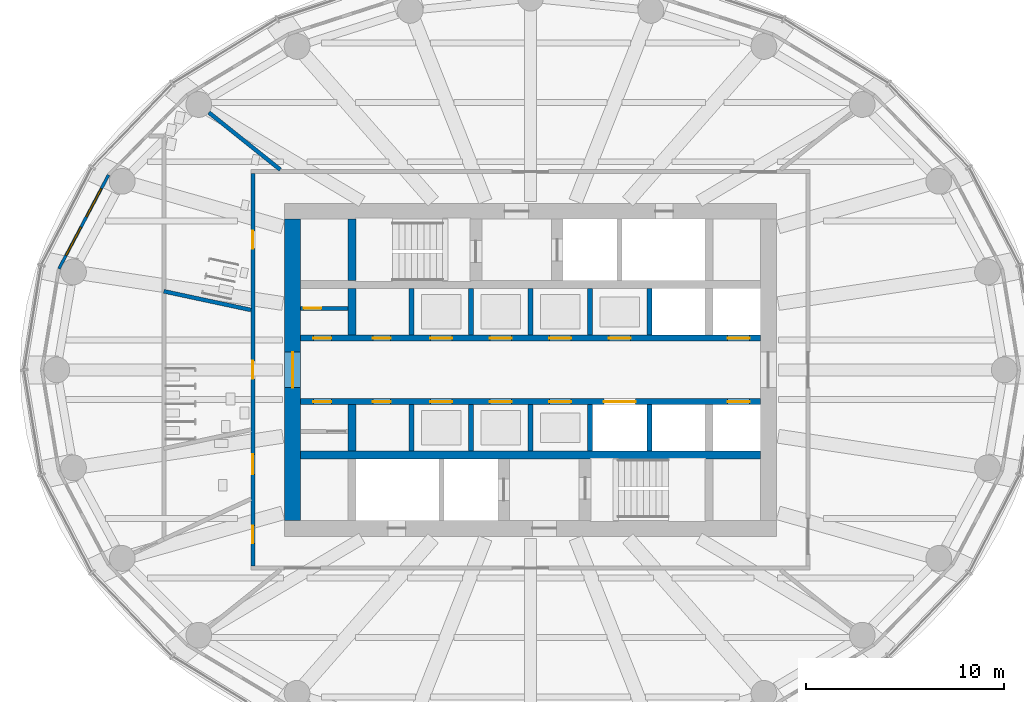
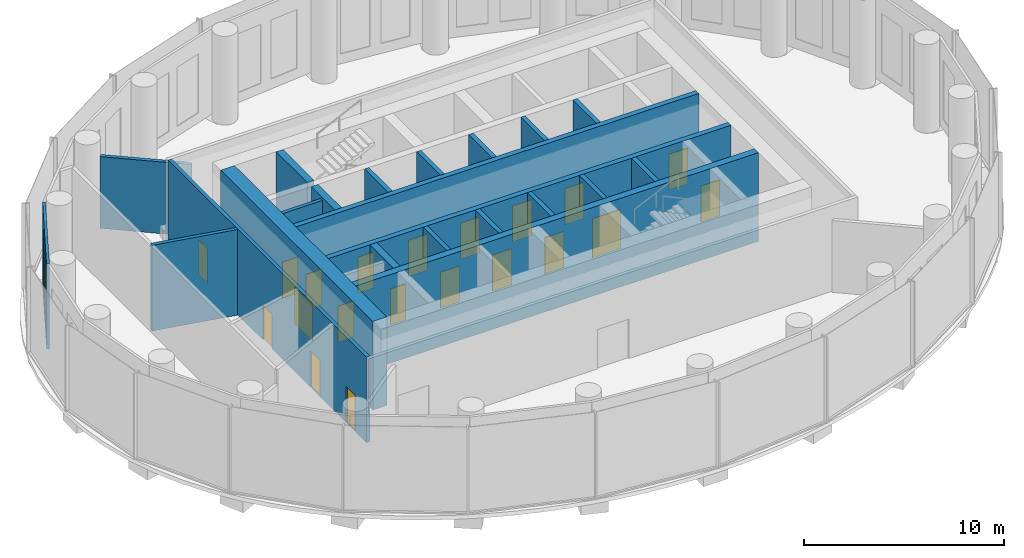
# One storey, part 6 of 13: 22 walls, 20 doors, 2 windows, 22 openings.
"""IFC4 building model written with IfcOpenShell, lengths in metres."""

from ifc_helpers import new_model, si_unit, direction, frame, frame_2d, origin, place, context, subcontext, project, spatial, rectangle, extrude, material, layer, layer_set, type_object, element, fill, save


model = new_model("IFC4")

# Units and contexts
model_context = context("Model", 3, precision=1e-05, world=origin(), true_north=direction((0.0, 1.0)))
body_context = subcontext(model_context, "Body", "Model", "MODEL_VIEW")
ifc_project = project(units=[si_unit("LENGTHUNIT", "METRE"), si_unit("AREAUNIT", "SQUARE_METRE"), si_unit("VOLUMEUNIT", "CUBIC_METRE"), si_unit("PLANEANGLEUNIT", "RADIAN"), si_unit("MASSUNIT", "GRAM", prefix="KILO")], contexts=[model_context])

# Site, building, storey
site_placement = place(None, origin())
site = spatial("IfcSite", under=ifc_project, at=site_placement, CompositionType="ELEMENT")
building_placement = place(site_placement, origin())
building = spatial("IfcBuilding", under=site, at=building_placement, Name="Hankou Lantern Tower", CompositionType="ELEMENT")
storey_placement = place(building_placement, frame((0.0, 0.0, 100.199951171875)))
storey = spatial("IfcBuildingStorey", under=building, at=storey_placement, Name="L25", CompositionType="ELEMENT", Elevation=100.199951171875)

# Wall, opening, door
ifc_material_1 = material(Name="Concrete C60", Category="concrete")
ifc_layer_1 = layer(ifc_material_1, 0.800048828125)
ifc_layer_set_1 = layer_set([ifc_layer_1], Name="Concrete C60")
wall_type_1 = type_object("IfcWallType", Name="CW2 CORE WALL 800", PredefinedType="SHEAR", material=ifc_layer_set_1)
wall_1_placement = place(storey_placement, frame((-12.0, 7.60009765625, 0.0), z_axis=(0.0, 0.0, 1.0), x_axis=(0.0, -1.0, 0.0)))
wall_1 = element("IfcWall", 1, at=wall_1_placement, inside=storey, type_object=wall_type_1, Name="Core wall west L25", PredefinedType="SHEAR", context=body_context, shape_type="SweptSolid", body=[
    extrude(rectangle(XDim=15.2001953125, YDim=0.800048828125, at=frame_2d((7.60009765625, 0.0))), origin(), (0.0, 0.0, 1.0), 5.400146484375),
])
opening_1_placement = place(wall_1_placement, frame((6.699951171875, 0.0, 0.0)))
opening_1 = element("IfcOpeningElement", 2, at=opening_1_placement, cuts=wall_1, Name="Opening D6", PredefinedType="OPENING", context=body_context, shape_type="SweptSolid", body=[
    extrude(rectangle(XDim=1.800048828125, YDim=2.199951171875, at=frame_2d((0.89990234375, 1.10009765625))), frame((0.0, 0.409912109375, 0.0), z_axis=(0.0, -1.0, 0.0), x_axis=(1.0, 0.0, 0.0)), (0.0, 0.0, 1.0), 0.820068359375),
])
ifc_material_2 = material(Name="Steel door leaf", Category="steel")
door_type_1 = type_object("IfcDoorType", Name="D6 LIFT LOBBY DOOR 1800X2200", OperationType="DOUBLE_DOOR_DOUBLE_SWING", PredefinedType="DOOR", material=ifc_material_2)
door_1_placement = place(opening_1_placement, origin())
door_1 = element("IfcDoor", 3, at=door_1_placement, inside=storey, type_object=door_type_1, Name="Lift lobby west door", OperationType="DOUBLE_DOOR_DOUBLE_SWING", OverallHeight=2.199951171875, OverallWidth=1.800048828125, PredefinedType="DOOR", context=body_context, shape_type="SweptSolid", body=[
    extrude(rectangle(XDim=1.800048828125, YDim=2.199951171875, at=frame_2d((0.89990234375, 1.10009765625))), frame((0.0, 0.02490234375, 0.0), z_axis=(0.0, -1.0, 0.0), x_axis=(1.0, 0.0, 0.0)), (0.0, 0.0, 1.0), 0.050048828125),
])
fill(opening_1, door_1)

# Walls
ifc_material_3 = material(Name="Concrete C60", Category="concrete")
ifc_layer_2 = layer(ifc_material_3, 0.39990234375)
ifc_layer_set_2 = layer_set([ifc_layer_2], Name="Concrete C60")
wall_type_2 = type_object("IfcWallType", Name="CW4 CORE CROSS WALL 400", PredefinedType="SHEAR", material=ifc_layer_set_2)
wall_2_placement = place(storey_placement, frame((-11.60009765625, -4.300048828125, 0.0), z_axis=(0.0, 0.0, 1.0), x_axis=(1.0, 0.0, 0.0)))
element("IfcWall", 4, at=wall_2_placement, inside=storey, type_object=wall_type_2, Name="Core band wall south L25", PredefinedType="SHEAR", context=body_context, shape_type="SweptSolid", body=[
    extrude(rectangle(XDim=23.2001953125, YDim=0.39990234375, at=frame_2d((11.60009765625, 0.0))), origin(), (0.0, 0.0, 1.0), 5.400146484375),
])
wall_3_placement = place(storey_placement, frame((-9.0, 4.5, 0.0), z_axis=(0.0, 0.0, 1.0), x_axis=(0.0, 1.0, 0.0)))
element("IfcWall", 5, at=wall_3_placement, inside=storey, type_object=wall_type_2, Name="Core strip wall L25", PredefinedType="SHEAR", context=body_context, shape_type="SweptSolid", body=[
    extrude(rectangle(XDim=3.10009765625, YDim=0.39990234375, at=frame_2d((1.550048828125, 0.0))), origin(), (0.0, 0.0, 1.0), 5.400146484375),
])
for number, where, z_axis, x_axis, name in (
    (6, (-9.0, 1.75, 0.0), (0.0, 0.0, 1.0), (0.0, 1.0, 0.0), "Core strip wall L25"),
    (7, (-9.0, -4.10009765625, 0.0), (0.0, 0.0, 1.0), (0.0, 1.0, 0.0), "Core strip wall L25"),
):
    element("IfcWall", number, at=place(storey_placement, frame(where, z_axis=z_axis, x_axis=x_axis)), inside=storey, type_object=wall_type_2, Name=name, PredefinedType="SHEAR", context=body_context, shape_type="SweptSolid", body=[
        extrude(rectangle(XDim=2.35009765625, YDim=0.39990234375, at=frame_2d((1.175048828125, 0.0))), origin(), (0.0, 0.0, 1.0), 5.400146484375),
    ])

# Wall, openings, doors
ifc_material_4 = material(Name="Concrete C60", Category="concrete")
ifc_layer_3 = layer(ifc_material_4, 0.300048828125)
ifc_layer_set_3 = layer_set([ifc_layer_3], Name="Concrete C60")
wall_type_3 = type_object("IfcWallType", Name="CW5 LIFT LOBBY WALL 300", PredefinedType="SHEAR", material=ifc_layer_set_3)
wall_4_placement = place(storey_placement, frame((-11.60009765625, 1.60009765625, 0.0), z_axis=(0.0, 0.0, 1.0), x_axis=(1.0, 0.0, 0.0)))
wall_4 = element("IfcWall", 8, at=wall_4_placement, inside=storey, type_object=wall_type_3, Name="Lift lobby wall north L25", PredefinedType="SHEAR", context=body_context, shape_type="SweptSolid", body=[
    extrude(rectangle(XDim=23.2001953125, YDim=0.300048828125, at=frame_2d((11.60009765625, 0.0))), origin(), (0.0, 0.0, 1.0), 5.400146484375),
])
opening_2_placement = place(wall_4_placement, frame((6.550048828125, 0.0, 0.0)))
opening_2 = element("IfcOpeningElement", 9, at=opening_2_placement, cuts=wall_4, Name="Opening LD1", PredefinedType="OPENING", context=body_context, shape_type="SweptSolid", body=[
    extrude(rectangle(XDim=1.10009765625, YDim=2.199951171875, at=frame_2d((0.550048828125, 1.10009765625))), frame((0.0, 0.159912109375, 0.0), z_axis=(0.0, -1.0, 0.0), x_axis=(1.0, 0.0, 0.0)), (0.0, 0.0, 1.0), 0.320068359375),
])
opening_3_placement = place(wall_4_placement, frame((9.550048828125, 0.0, 0.0)))
opening_3 = element("IfcOpeningElement", 10, at=opening_3_placement, cuts=wall_4, Name="Opening LD1", PredefinedType="OPENING", context=body_context, shape_type="SweptSolid", body=[
    extrude(rectangle(XDim=1.10009765625, YDim=2.199951171875, at=frame_2d((0.550048828125, 1.10009765625))), frame((0.0, 0.159912109375, 0.0), z_axis=(0.0, -1.0, 0.0), x_axis=(1.0, 0.0, 0.0)), (0.0, 0.0, 1.0), 0.320068359375),
])
opening_4_placement = place(wall_4_placement, frame((12.550048828125, 0.0, 0.0)))
opening_4 = element("IfcOpeningElement", 11, at=opening_4_placement, cuts=wall_4, Name="Opening LD1", PredefinedType="OPENING", context=body_context, shape_type="SweptSolid", body=[
    extrude(rectangle(XDim=1.10009765625, YDim=2.199951171875, at=frame_2d((0.550048828125, 1.10009765625))), frame((0.0, 0.159912109375, 0.0), z_axis=(0.0, -1.0, 0.0), x_axis=(1.0, 0.0, 0.0)), (0.0, 0.0, 1.0), 0.320068359375),
])
opening_5_placement = place(wall_4_placement, frame((15.550048828125, 0.0, 0.0)))
opening_5 = element("IfcOpeningElement", 12, at=opening_5_placement, cuts=wall_4, Name="Opening LD1", PredefinedType="OPENING", context=body_context, shape_type="SweptSolid", body=[
    extrude(rectangle(XDim=1.10009765625, YDim=2.199951171875, at=frame_2d((0.550048828125, 1.10009765625))), frame((0.0, 0.159912109375, 0.0), z_axis=(0.0, -1.0, 0.0), x_axis=(1.0, 0.0, 0.0)), (0.0, 0.0, 1.0), 0.320068359375),
])
opening_6_placement = place(wall_4_placement, frame((21.550048828125, 0.0, 0.0)))
opening_6 = element("IfcOpeningElement", 13, at=opening_6_placement, cuts=wall_4, Name="Opening LD1", PredefinedType="OPENING", context=body_context, shape_type="SweptSolid", body=[
    extrude(rectangle(XDim=1.10009765625, YDim=2.199951171875, at=frame_2d((0.550048828125, 1.10009765625))), frame((0.0, 0.159912109375, 0.0), z_axis=(0.0, -1.0, 0.0), x_axis=(1.0, 0.0, 0.0)), (0.0, 0.0, 1.0), 0.320068359375),
])
opening_7_placement = place(wall_4_placement, frame((0.64990234375, 0.0, 0.0)))
opening_7 = element("IfcOpeningElement", 14, at=opening_7_placement, cuts=wall_4, Name="Opening D30", PredefinedType="OPENING", context=body_context, shape_type="SweptSolid", body=[
    extrude(rectangle(XDim=0.89990234375, YDim=2.199951171875, at=frame_2d((0.449951171875, 1.10009765625))), frame((0.0, 0.159912109375, 0.0), z_axis=(0.0, -1.0, 0.0), x_axis=(1.0, 0.0, 0.0)), (0.0, 0.0, 1.0), 0.320068359375),
])
opening_8_placement = place(wall_4_placement, frame((3.64990234375, 0.0, 0.0)))
opening_8 = element("IfcOpeningElement", 15, at=opening_8_placement, cuts=wall_4, Name="Opening D30", PredefinedType="OPENING", context=body_context, shape_type="SweptSolid", body=[
    extrude(rectangle(XDim=0.89990234375, YDim=2.199951171875, at=frame_2d((0.449951171875, 1.10009765625))), frame((0.0, 0.159912109375, 0.0), z_axis=(0.0, -1.0, 0.0), x_axis=(1.0, 0.0, 0.0)), (0.0, 0.0, 1.0), 0.320068359375),
])
ifc_material_5 = material(Name="Steel door leaf", Category="steel")
door_type_2 = type_object("IfcDoorType", Name="D30 CORE ROOM DOOR 900X2200", OperationType="SINGLE_SWING_LEFT", PredefinedType="DOOR", material=ifc_material_5)
door_2_placement = place(opening_7_placement, origin())
door_2 = element("IfcDoor", 16, at=door_2_placement, inside=storey, type_object=door_type_2, Name="Luggage store door", OperationType="SINGLE_SWING_LEFT", OverallHeight=2.199951171875, OverallWidth=0.89990234375, PredefinedType="DOOR", context=body_context, shape_type="SweptSolid", body=[
    extrude(rectangle(XDim=0.89990234375, YDim=2.199951171875, at=frame_2d((0.449951171875, 1.10009765625))), frame((0.0, 0.02490234375, 0.0), z_axis=(0.0, -1.0, 0.0), x_axis=(1.0, 0.0, 0.0)), (0.0, 0.0, 1.0), 0.050048828125),
])
fill(opening_7, door_2)
door_3_placement = place(opening_8_placement, origin())
door_3 = element("IfcDoor", 17, at=door_3_placement, inside=storey, type_object=door_type_2, Name="Concierge store door", OperationType="SINGLE_SWING_LEFT", OverallHeight=2.199951171875, OverallWidth=0.89990234375, PredefinedType="DOOR", context=body_context, shape_type="SweptSolid", body=[
    extrude(rectangle(XDim=0.89990234375, YDim=2.199951171875, at=frame_2d((0.449951171875, 1.10009765625))), frame((0.0, 0.02490234375, 0.0), z_axis=(0.0, -1.0, 0.0), x_axis=(1.0, 0.0, 0.0)), (0.0, 0.0, 1.0), 0.050048828125),
])
fill(opening_8, door_3)
ifc_material_6 = material(Name="Steel door leaf", Category="steel")
door_type_3 = type_object("IfcDoorType", Name="LD1 LIFT LANDING DOOR 1100X2200", OperationType="DOUBLE_DOOR_SLIDING", PredefinedType="DOOR", material=ifc_material_6)
door_4_placement = place(opening_2_placement, origin())
door_4 = element("IfcDoor", 18, at=door_4_placement, inside=storey, type_object=door_type_3, Name="Lift M1 landing door", OperationType="DOUBLE_DOOR_SLIDING", OverallHeight=2.199951171875, OverallWidth=1.10009765625, PredefinedType="DOOR", context=body_context, shape_type="SweptSolid", body=[
    extrude(rectangle(XDim=1.10009765625, YDim=2.199951171875, at=frame_2d((0.550048828125, 1.10009765625))), frame((0.0, 0.02490234375, 0.0), z_axis=(0.0, -1.0, 0.0), x_axis=(1.0, 0.0, 0.0)), (0.0, 0.0, 1.0), 0.050048828125),
])
fill(opening_2, door_4)
door_5_placement = place(opening_3_placement, origin())
door_5 = element("IfcDoor", 19, at=door_5_placement, inside=storey, type_object=door_type_3, Name="Lift H1 landing door", OperationType="DOUBLE_DOOR_SLIDING", OverallHeight=2.199951171875, OverallWidth=1.10009765625, PredefinedType="DOOR", context=body_context, shape_type="SweptSolid", body=[
    extrude(rectangle(XDim=1.10009765625, YDim=2.199951171875, at=frame_2d((0.550048828125, 1.10009765625))), frame((0.0, 0.02490234375, 0.0), z_axis=(0.0, -1.0, 0.0), x_axis=(1.0, 0.0, 0.0)), (0.0, 0.0, 1.0), 0.050048828125),
])
fill(opening_3, door_5)
door_6_placement = place(opening_4_placement, origin())
door_6 = element("IfcDoor", 20, at=door_6_placement, inside=storey, type_object=door_type_3, Name="Lift H2 landing door", OperationType="DOUBLE_DOOR_SLIDING", OverallHeight=2.199951171875, OverallWidth=1.10009765625, PredefinedType="DOOR", context=body_context, shape_type="SweptSolid", body=[
    extrude(rectangle(XDim=1.10009765625, YDim=2.199951171875, at=frame_2d((0.550048828125, 1.10009765625))), frame((0.0, 0.02490234375, 0.0), z_axis=(0.0, -1.0, 0.0), x_axis=(1.0, 0.0, 0.0)), (0.0, 0.0, 1.0), 0.050048828125),
])
fill(opening_4, door_6)
door_7_placement = place(opening_5_placement, origin())
door_7 = element("IfcDoor", 21, at=door_7_placement, inside=storey, type_object=door_type_3, Name="Lift T1 landing door", OperationType="DOUBLE_DOOR_SLIDING", OverallHeight=2.199951171875, OverallWidth=1.10009765625, PredefinedType="DOOR", context=body_context, shape_type="SweptSolid", body=[
    extrude(rectangle(XDim=1.10009765625, YDim=2.199951171875, at=frame_2d((0.550048828125, 1.10009765625))), frame((0.0, 0.02490234375, 0.0), z_axis=(0.0, -1.0, 0.0), x_axis=(1.0, 0.0, 0.0)), (0.0, 0.0, 1.0), 0.050048828125),
])
fill(opening_5, door_7)
door_8_placement = place(opening_6_placement, origin())
door_8 = element("IfcDoor", 22, at=door_8_placement, inside=storey, type_object=door_type_3, Name="Lift S1 landing door", OperationType="DOUBLE_DOOR_SLIDING", OverallHeight=2.199951171875, OverallWidth=1.10009765625, PredefinedType="DOOR", context=body_context, shape_type="SweptSolid", body=[
    extrude(rectangle(XDim=1.10009765625, YDim=2.199951171875, at=frame_2d((0.550048828125, 1.10009765625))), frame((0.0, 0.02490234375, 0.0), z_axis=(0.0, -1.0, 0.0), x_axis=(1.0, 0.0, 0.0)), (0.0, 0.0, 1.0), 0.050048828125),
])
fill(opening_6, door_8)

wall_5_placement = place(storey_placement, frame((-11.60009765625, -1.60009765625, 0.0), z_axis=(0.0, 0.0, 1.0), x_axis=(1.0, 0.0, 0.0)))
wall_5 = element("IfcWall", 23, at=wall_5_placement, inside=storey, type_object=wall_type_3, Name="Lift lobby wall south L25", PredefinedType="SHEAR", context=body_context, shape_type="SweptSolid", body=[
    extrude(rectangle(XDim=23.2001953125, YDim=0.300048828125, at=frame_2d((11.60009765625, 0.0))), origin(), (0.0, 0.0, 1.0), 5.400146484375),
])
opening_9_placement = place(wall_5_placement, frame((6.550048828125, 0.0, 0.0)))
opening_9 = element("IfcOpeningElement", 24, at=opening_9_placement, cuts=wall_5, Name="Opening LD1", PredefinedType="OPENING", context=body_context, shape_type="SweptSolid", body=[
    extrude(rectangle(XDim=1.10009765625, YDim=2.199951171875, at=frame_2d((0.550048828125, 1.10009765625))), frame((0.0, 0.159912109375, 0.0), z_axis=(0.0, -1.0, 0.0), x_axis=(1.0, 0.0, 0.0)), (0.0, 0.0, 1.0), 0.320068359375),
])
opening_10_placement = place(wall_5_placement, frame((9.550048828125, 0.0, 0.0)))
opening_10 = element("IfcOpeningElement", 25, at=opening_10_placement, cuts=wall_5, Name="Opening LD1", PredefinedType="OPENING", context=body_context, shape_type="SweptSolid", body=[
    extrude(rectangle(XDim=1.10009765625, YDim=2.199951171875, at=frame_2d((0.550048828125, 1.10009765625))), frame((0.0, 0.159912109375, 0.0), z_axis=(0.0, -1.0, 0.0), x_axis=(1.0, 0.0, 0.0)), (0.0, 0.0, 1.0), 0.320068359375),
])
opening_11_placement = place(wall_5_placement, frame((12.550048828125, 0.0, 0.0)))
opening_11 = element("IfcOpeningElement", 26, at=opening_11_placement, cuts=wall_5, Name="Opening LD1", PredefinedType="OPENING", context=body_context, shape_type="SweptSolid", body=[
    extrude(rectangle(XDim=1.10009765625, YDim=2.199951171875, at=frame_2d((0.550048828125, 1.10009765625))), frame((0.0, 0.159912109375, 0.0), z_axis=(0.0, -1.0, 0.0), x_axis=(1.0, 0.0, 0.0)), (0.0, 0.0, 1.0), 0.320068359375),
])
opening_12_placement = place(wall_5_placement, frame((15.300048828125, 0.0, 0.0)))
opening_12 = element("IfcOpeningElement", 27, at=opening_12_placement, cuts=wall_5, Name="Opening LD4", PredefinedType="OPENING", context=body_context, shape_type="SweptSolid", body=[
    extrude(rectangle(XDim=1.60009765625, YDim=2.39990234375, at=frame_2d((0.800048828125, 1.199951171875))), frame((0.0, 0.159912109375, 0.0), z_axis=(0.0, -1.0, 0.0), x_axis=(1.0, 0.0, 0.0)), (0.0, 0.0, 1.0), 0.320068359375),
])
opening_13_placement = place(wall_5_placement, frame((21.550048828125, 0.0, 0.0)))
opening_13 = element("IfcOpeningElement", 28, at=opening_13_placement, cuts=wall_5, Name="Opening LD1", PredefinedType="OPENING", context=body_context, shape_type="SweptSolid", body=[
    extrude(rectangle(XDim=1.10009765625, YDim=2.199951171875, at=frame_2d((0.550048828125, 1.10009765625))), frame((0.0, 0.159912109375, 0.0), z_axis=(0.0, -1.0, 0.0), x_axis=(1.0, 0.0, 0.0)), (0.0, 0.0, 1.0), 0.320068359375),
])
opening_14_placement = place(wall_5_placement, frame((0.64990234375, 0.0, 0.0)))
opening_14 = element("IfcOpeningElement", 29, at=opening_14_placement, cuts=wall_5, Name="Opening D30", PredefinedType="OPENING", context=body_context, shape_type="SweptSolid", body=[
    extrude(rectangle(XDim=0.89990234375, YDim=2.199951171875, at=frame_2d((0.449951171875, 1.10009765625))), frame((0.0, 0.159912109375, 0.0), z_axis=(0.0, -1.0, 0.0), x_axis=(1.0, 0.0, 0.0)), (0.0, 0.0, 1.0), 0.320068359375),
])
opening_15_placement = place(wall_5_placement, frame((3.64990234375, 0.0, 0.0)))
opening_15 = element("IfcOpeningElement", 30, at=opening_15_placement, cuts=wall_5, Name="Opening D30", PredefinedType="OPENING", context=body_context, shape_type="SweptSolid", body=[
    extrude(rectangle(XDim=0.89990234375, YDim=2.199951171875, at=frame_2d((0.449951171875, 1.10009765625))), frame((0.0, 0.159912109375, 0.0), z_axis=(0.0, -1.0, 0.0), x_axis=(1.0, 0.0, 0.0)), (0.0, 0.0, 1.0), 0.320068359375),
])
door_9_placement = place(opening_14_placement, origin())
door_9 = element("IfcDoor", 31, at=door_9_placement, inside=storey, type_object=door_type_2, Name="Cleaner's store door", OperationType="SINGLE_SWING_LEFT", OverallHeight=2.199951171875, OverallWidth=0.89990234375, PredefinedType="DOOR", context=body_context, shape_type="SweptSolid", body=[
    extrude(rectangle(XDim=0.89990234375, YDim=2.199951171875, at=frame_2d((0.449951171875, 1.10009765625))), frame((0.0, 0.02490234375, 0.0), z_axis=(0.0, -1.0, 0.0), x_axis=(1.0, 0.0, 0.0)), (0.0, 0.0, 1.0), 0.050048828125),
])
fill(opening_14, door_9)
door_10_placement = place(opening_15_placement, origin())
door_10 = element("IfcDoor", 32, at=door_10_placement, inside=storey, type_object=door_type_2, Name="IT and telecoms room door", OperationType="SINGLE_SWING_LEFT", OverallHeight=2.199951171875, OverallWidth=0.89990234375, PredefinedType="DOOR", context=body_context, shape_type="SweptSolid", body=[
    extrude(rectangle(XDim=0.89990234375, YDim=2.199951171875, at=frame_2d((0.449951171875, 1.10009765625))), frame((0.0, 0.02490234375, 0.0), z_axis=(0.0, -1.0, 0.0), x_axis=(1.0, 0.0, 0.0)), (0.0, 0.0, 1.0), 0.050048828125),
])
fill(opening_15, door_10)
door_11_placement = place(opening_9_placement, origin())
door_11 = element("IfcDoor", 33, at=door_11_placement, inside=storey, type_object=door_type_3, Name="Lift M2 landing door", OperationType="DOUBLE_DOOR_SLIDING", OverallHeight=2.199951171875, OverallWidth=1.10009765625, PredefinedType="DOOR", context=body_context, shape_type="SweptSolid", body=[
    extrude(rectangle(XDim=1.10009765625, YDim=2.199951171875, at=frame_2d((0.550048828125, 1.10009765625))), frame((0.0, 0.02490234375, 0.0), z_axis=(0.0, -1.0, 0.0), x_axis=(1.0, 0.0, 0.0)), (0.0, 0.0, 1.0), 0.050048828125),
])
fill(opening_9, door_11)
door_12_placement = place(opening_10_placement, origin())
door_12 = element("IfcDoor", 34, at=door_12_placement, inside=storey, type_object=door_type_3, Name="Lift H3 landing door", OperationType="DOUBLE_DOOR_SLIDING", OverallHeight=2.199951171875, OverallWidth=1.10009765625, PredefinedType="DOOR", context=body_context, shape_type="SweptSolid", body=[
    extrude(rectangle(XDim=1.10009765625, YDim=2.199951171875, at=frame_2d((0.550048828125, 1.10009765625))), frame((0.0, 0.02490234375, 0.0), z_axis=(0.0, -1.0, 0.0), x_axis=(1.0, 0.0, 0.0)), (0.0, 0.0, 1.0), 0.050048828125),
])
fill(opening_10, door_12)
door_13_placement = place(opening_11_placement, origin())
door_13 = element("IfcDoor", 35, at=door_13_placement, inside=storey, type_object=door_type_3, Name="Lift T2 landing door", OperationType="DOUBLE_DOOR_SLIDING", OverallHeight=2.199951171875, OverallWidth=1.10009765625, PredefinedType="DOOR", context=body_context, shape_type="SweptSolid", body=[
    extrude(rectangle(XDim=1.10009765625, YDim=2.199951171875, at=frame_2d((0.550048828125, 1.10009765625))), frame((0.0, 0.02490234375, 0.0), z_axis=(0.0, -1.0, 0.0), x_axis=(1.0, 0.0, 0.0)), (0.0, 0.0, 1.0), 0.050048828125),
])
fill(opening_11, door_13)
door_14_placement = place(opening_13_placement, origin())
door_14 = element("IfcDoor", 36, at=door_14_placement, inside=storey, type_object=door_type_3, Name="Lift S2 landing door", OperationType="DOUBLE_DOOR_SLIDING", OverallHeight=2.199951171875, OverallWidth=1.10009765625, PredefinedType="DOOR", context=body_context, shape_type="SweptSolid", body=[
    extrude(rectangle(XDim=1.10009765625, YDim=2.199951171875, at=frame_2d((0.550048828125, 1.10009765625))), frame((0.0, 0.02490234375, 0.0), z_axis=(0.0, -1.0, 0.0), x_axis=(1.0, 0.0, 0.0)), (0.0, 0.0, 1.0), 0.050048828125),
])
fill(opening_13, door_14)
ifc_material_7 = material(Name="Steel door leaf", Category="steel")
door_type_4 = type_object("IfcDoorType", Name="LD4 SERVICE LIFT LANDING DOOR 1600X2400", OperationType="DOUBLE_DOOR_SLIDING", PredefinedType="DOOR", material=ifc_material_7)
door_15_placement = place(opening_12_placement, origin())
door_15 = element("IfcDoor", 37, at=door_15_placement, inside=storey, type_object=door_type_4, Name="Lift SV1 landing door", OperationType="DOUBLE_DOOR_SLIDING", OverallHeight=2.39990234375, OverallWidth=1.60009765625, PredefinedType="DOOR", context=body_context, shape_type="SweptSolid", body=[
    extrude(rectangle(XDim=1.60009765625, YDim=2.39990234375, at=frame_2d((0.800048828125, 1.199951171875))), frame((0.0, 0.02490234375, 0.0), z_axis=(0.0, -1.0, 0.0), x_axis=(1.0, 0.0, 0.0)), (0.0, 0.0, 1.0), 0.050048828125),
])
fill(opening_12, door_15)

# Wall, openings, windows
ifc_material_8 = material(Name="Aluminium spandrel panel on steel studs", Category="steel")
ifc_layer_4 = layer(ifc_material_8, 0.14990234375)
ifc_layer_set_4 = layer_set([ifc_layer_4], Name="Aluminium spandrel panel on steel studs")
wall_type_4 = type_object("IfcWallType", Name="EW1 INNER SKIN WALL 150", PredefinedType="ELEMENTEDWALL", material=ifc_layer_set_4)
wall_6_placement = place(storey_placement, frame((-21.287353515625, 9.83203125, 0.0), z_axis=(0.0, 0.0, 1.0), x_axis=(-0.467814388454, -0.883826735257, 0.0)))
wall_6 = element("IfcWall", 38, at=wall_6_placement, inside=storey, type_object=wall_type_4, Name="Inner skin R11-R12 L25", PredefinedType="ELEMENTEDWALL", context=body_context, shape_type="SweptSolid", body=[
    extrude(rectangle(XDim=5.35400390625, YDim=0.14990234375, at=frame_2d((2.677001953125, 0.0))), origin(), (0.0, 0.0, 1.0), 5.219970703125),
])
opening_16_placement = place(wall_6_placement, frame((0.777099609375, 0.0, 0.60009765625)))
opening_16 = element("IfcOpeningElement", 39, at=opening_16_placement, cuts=wall_6, Name="Opening W6", PredefinedType="OPENING", context=body_context, shape_type="SweptSolid", body=[
    extrude(rectangle(XDim=1.60009765625, YDim=3.60009765625, at=frame_2d((0.800048828125, 1.800048828125))), frame((0.0, 0.0849609375, 0.0), z_axis=(0.0, -1.0, 0.0), x_axis=(1.0, 0.0, 0.0)), (0.0, 0.0, 1.0), 0.169921875),
])
opening_17_placement = place(wall_6_placement, frame((2.97705078125, 0.0, 0.60009765625)))
opening_17 = element("IfcOpeningElement", 40, at=opening_17_placement, cuts=wall_6, Name="Opening W6", PredefinedType="OPENING", context=body_context, shape_type="SweptSolid", body=[
    extrude(rectangle(XDim=1.60009765625, YDim=3.60009765625, at=frame_2d((0.800048828125, 1.800048828125))), frame((0.0, 0.0849609375, 0.0), z_axis=(0.0, -1.0, 0.0), x_axis=(1.0, 0.0, 0.0)), (0.0, 0.0, 1.0), 0.169921875),
])
ifc_material_9 = material(Name="Aluminium framed double glazed window", Category="aluminium")
window_type = type_object("IfcWindowType", Name="W6 SKY LOBBY WINDOW 1600X3600", PartitioningType="DOUBLE_PANEL_VERTICAL", PredefinedType="WINDOW", material=ifc_material_9)
window_1_placement = place(opening_16_placement, origin())
window_1 = element("IfcWindow", 41, at=window_1_placement, inside=storey, type_object=window_type, Name="Window R11.1 L25", OverallHeight=3.60009765625, OverallWidth=1.60009765625, PartitioningType="SINGLE_PANEL", PredefinedType="WINDOW", context=body_context, shape_type="SweptSolid", body=[
    extrude(rectangle(XDim=1.60009765625, YDim=3.60009765625, at=frame_2d((0.800048828125, 1.800048828125))), frame((0.0, 0.030029296875, 0.0), z_axis=(0.0, -1.0, 0.0), x_axis=(1.0, 0.0, 0.0)), (0.0, 0.0, 1.0), 0.06005859375),
])
fill(opening_16, window_1)
window_2_placement = place(opening_17_placement, origin())
window_2 = element("IfcWindow", 42, at=window_2_placement, inside=storey, type_object=window_type, Name="Window R11.2 L25", OverallHeight=3.60009765625, OverallWidth=1.60009765625, PartitioningType="SINGLE_PANEL", PredefinedType="WINDOW", context=body_context, shape_type="SweptSolid", body=[
    extrude(rectangle(XDim=1.60009765625, YDim=3.60009765625, at=frame_2d((0.800048828125, 1.800048828125))), frame((0.0, 0.030029296875, 0.0), z_axis=(0.0, -1.0, 0.0), x_axis=(1.0, 0.0, 0.0)), (0.0, 0.0, 1.0), 0.06005859375),
])
fill(opening_17, window_2)

# Wall, openings, doors
ifc_material_10 = material(Name="Masonry lightweight concrete block", Category="masonry")
ifc_layer_5 = layer(ifc_material_10, 0.199951171875)
ifc_layer_set_5 = layer_set([ifc_layer_5], Name="Masonry lightweight concrete block")
wall_type_5 = type_object("IfcWallType", Name="IW2 CORRIDOR WALL 200", PredefinedType="PARTITIONING", material=ifc_layer_set_5)
wall_7_placement = place(storey_placement, frame((-14.0, 9.89990234375, 0.0), z_axis=(0.0, 0.0, 1.0), x_axis=(0.0, -1.0, 0.0)))
wall_7 = element("IfcWall", 43, at=wall_7_placement, inside=storey, type_object=wall_type_5, Name="Corridor wall west", PredefinedType="PARTITIONING", context=body_context, shape_type="SweptSolid", body=[
    extrude(rectangle(XDim=19.7998046875, YDim=0.199951171875, at=frame_2d((9.89990234375, 0.0))), origin(), (0.0, 0.0, 1.0), 5.219970703125),
])
opening_18_placement = place(wall_7_placement, frame((2.888671875, 0.0, 0.0)))
opening_18 = element("IfcOpeningElement", 44, at=opening_18_placement, cuts=wall_7, Name="Opening D10", PredefinedType="OPENING", context=body_context, shape_type="SweptSolid", body=[
    extrude(rectangle(XDim=0.89990234375, YDim=2.10009765625, at=frame_2d((0.449951171875, 1.050048828125))), frame((0.0, 0.10986328125, 0.0), z_axis=(0.0, -1.0, 0.0), x_axis=(1.0, 0.0, 0.0)), (0.0, 0.0, 1.0), 0.219970703125),
])
opening_19_placement = place(wall_7_placement, frame((9.449951171875, 0.0, 0.0)))
opening_19 = element("IfcOpeningElement", 45, at=opening_19_placement, cuts=wall_7, Name="Opening D10", PredefinedType="OPENING", context=body_context, shape_type="SweptSolid", body=[
    extrude(rectangle(XDim=0.89990234375, YDim=2.10009765625, at=frame_2d((0.449951171875, 1.050048828125))), frame((0.0, 0.10986328125, 0.0), z_axis=(0.0, -1.0, 0.0), x_axis=(1.0, 0.0, 0.0)), (0.0, 0.0, 1.0), 0.219970703125),
])
opening_20_placement = place(wall_7_placement, frame((14.16748046875, 0.0, 0.0)))
opening_20 = element("IfcOpeningElement", 46, at=opening_20_placement, cuts=wall_7, Name="Opening D11", PredefinedType="OPENING", context=body_context, shape_type="SweptSolid", body=[
    extrude(rectangle(XDim=1.0, YDim=2.199951171875, at=frame_2d((0.5, 1.10009765625))), frame((0.0, 0.10986328125, 0.0), z_axis=(0.0, -1.0, 0.0), x_axis=(1.0, 0.0, 0.0)), (0.0, 0.0, 1.0), 0.219970703125),
])
opening_21_placement = place(wall_7_placement, frame((17.75634765625, 0.0, 0.0)))
opening_21 = element("IfcOpeningElement", 47, at=opening_21_placement, cuts=wall_7, Name="Opening D12", PredefinedType="OPENING", context=body_context, shape_type="SweptSolid", body=[
    extrude(rectangle(XDim=0.89990234375, YDim=2.199951171875, at=frame_2d((0.449951171875, 1.10009765625))), frame((0.0, 0.10986328125, 0.0), z_axis=(0.0, -1.0, 0.0), x_axis=(1.0, 0.0, 0.0)), (0.0, 0.0, 1.0), 0.219970703125),
])
ifc_material_11 = material(Name="Timber door leaf", Category="wood")
door_type_5 = type_object("IfcDoorType", Name="D10 WC DOOR 900X2100", OperationType="SINGLE_SWING_LEFT", PredefinedType="DOOR", material=ifc_material_11)
door_16_placement = place(opening_18_placement, origin())
door_16 = element("IfcDoor", 48, at=door_16_placement, inside=storey, type_object=door_type_5, Name="Male WC door", OperationType="SINGLE_SWING_LEFT", OverallHeight=2.10009765625, OverallWidth=0.89990234375, PredefinedType="DOOR", context=body_context, shape_type="SweptSolid", body=[
    extrude(rectangle(XDim=0.89990234375, YDim=2.10009765625, at=frame_2d((0.449951171875, 1.050048828125))), frame((0.0, 0.02490234375, 0.0), z_axis=(0.0, -1.0, 0.0), x_axis=(1.0, 0.0, 0.0)), (0.0, 0.0, 1.0), 0.050048828125),
])
fill(opening_18, door_16)
door_17_placement = place(opening_19_placement, origin())
door_17 = element("IfcDoor", 49, at=door_17_placement, inside=storey, type_object=door_type_5, Name="Female WC door", OperationType="SINGLE_SWING_LEFT", OverallHeight=2.10009765625, OverallWidth=0.89990234375, PredefinedType="DOOR", context=body_context, shape_type="SweptSolid", body=[
    extrude(rectangle(XDim=0.89990234375, YDim=2.10009765625, at=frame_2d((0.449951171875, 1.050048828125))), frame((0.0, 0.02490234375, 0.0), z_axis=(0.0, -1.0, 0.0), x_axis=(1.0, 0.0, 0.0)), (0.0, 0.0, 1.0), 0.050048828125),
])
fill(opening_19, door_17)
ifc_material_12 = material(Name="Timber door leaf", Category="wood")
door_type_6 = type_object("IfcDoorType", Name="D11 ACCESSIBLE WC DOOR 1000X2200", OperationType="SLIDING_TO_LEFT", PredefinedType="DOOR", material=ifc_material_12)
door_18_placement = place(opening_20_placement, origin())
door_18 = element("IfcDoor", 50, at=door_18_placement, inside=storey, type_object=door_type_6, Name="Accessible WC door", OperationType="SLIDING_TO_LEFT", OverallHeight=2.199951171875, OverallWidth=1.0, PredefinedType="DOOR", context=body_context, shape_type="SweptSolid", body=[
    extrude(rectangle(XDim=1.0, YDim=2.199951171875, at=frame_2d((0.5, 1.10009765625))), frame((0.0, 0.02490234375, 0.0), z_axis=(0.0, -1.0, 0.0), x_axis=(1.0, 0.0, 0.0)), (0.0, 0.0, 1.0), 0.050048828125),
])
fill(opening_20, door_18)
ifc_material_13 = material(Name="Steel door leaf", Category="steel")
door_type_7 = type_object("IfcDoorType", Name="D12 STORE DOOR 900X2200", OperationType="SINGLE_SWING_LEFT", PredefinedType="DOOR", material=ifc_material_13)
door_19_placement = place(opening_21_placement, origin())
door_19 = element("IfcDoor", 51, at=door_19_placement, inside=storey, type_object=door_type_7, Name="Luggage store door", OperationType="SINGLE_SWING_RIGHT", OverallHeight=2.199951171875, OverallWidth=0.89990234375, PredefinedType="DOOR", context=body_context, shape_type="SweptSolid", body=[
    extrude(rectangle(XDim=0.89990234375, YDim=2.199951171875, at=frame_2d((0.449951171875, 1.10009765625))), frame((0.0, 0.02490234375, 0.0), z_axis=(0.0, -1.0, 0.0), x_axis=(1.0, 0.0, 0.0)), (0.0, 0.0, 1.0), 0.050048828125),
])
fill(opening_21, door_19)

# Walls
ifc_material_14 = material(Name="Masonry lightweight concrete block", Category="masonry")
ifc_layer_6 = layer(ifc_material_14, 0.199951171875)
ifc_layer_set_6 = layer_set([ifc_layer_6], Name="Masonry lightweight concrete block")
wall_type_6 = type_object("IfcWallType", Name="IW8 PARTITION 200", PredefinedType="PARTITIONING", material=ifc_layer_set_6)
wall_8_placement = place(storey_placement, frame((-12.625, 10.10009765625, 0.0), z_axis=(0.0, 0.0, 1.0), x_axis=(-0.780863644897, 0.624701503182, 0.0)))
element("IfcWall", 52, at=wall_8_placement, inside=storey, type_object=wall_type_6, Name="Partition R10", PredefinedType="PARTITIONING", context=body_context, shape_type="SweptSolid", body=[
    extrude(rectangle(XDim=4.612060546875, YDim=0.199951171875, at=frame_2d((2.30615234375, 0.0))), origin(), (0.0, 0.0, 1.0), 4.3701171875),
])
wall_9_placement = place(storey_placement, frame((-14.10009765625, 3.0224609375, 0.0), z_axis=(0.0, 0.0, 1.0), x_axis=(-0.977789708591, 0.209588372228, 0.0)))
element("IfcWall", 53, at=wall_9_placement, inside=storey, type_object=wall_type_6, Name="Partition R12", PredefinedType="PARTITIONING", context=body_context, shape_type="SweptSolid", body=[
    extrude(rectangle(XDim=4.499755859375, YDim=0.199951171875, at=frame_2d((2.25, 0.0))), origin(), (0.0, 0.0, 1.0), 5.219970703125),
])

# Wall, opening, door
wall_10_placement = place(storey_placement, frame((-11.60009765625, 3.10009765625, 0.0), z_axis=(0.0, 0.0, 1.0), x_axis=(1.0, 0.0, 0.0)))
wall_10 = element("IfcWall", 54, at=wall_10_placement, inside=storey, type_object=wall_type_6, Name="Partition luggage store", PredefinedType="PARTITIONING", context=body_context, shape_type="SweptSolid", body=[
    extrude(rectangle(XDim=2.400146484375, YDim=0.199951171875, at=frame_2d((1.2001953125, 0.0))), origin(), (0.0, 0.0, 1.0), 5.219970703125),
])
opening_22_placement = place(wall_10_placement, frame((0.14990234375, 0.0, 0.0)))
opening_22 = element("IfcOpeningElement", 55, at=opening_22_placement, cuts=wall_10, Name="Opening D12", PredefinedType="OPENING", context=body_context, shape_type="SweptSolid", body=[
    extrude(rectangle(XDim=0.89990234375, YDim=2.199951171875, at=frame_2d((0.449951171875, 1.10009765625))), frame((0.0, 0.10986328125, 0.0), z_axis=(0.0, -1.0, 0.0), x_axis=(1.0, 0.0, 0.0)), (0.0, 0.0, 1.0), 0.219970703125),
])
door_20_placement = place(opening_22_placement, origin())
door_20 = element("IfcDoor", 56, at=door_20_placement, inside=storey, type_object=door_type_7, Name="Luggage cupboard door", OperationType="SINGLE_SWING_LEFT", OverallHeight=2.199951171875, OverallWidth=0.89990234375, PredefinedType="DOOR", context=body_context, shape_type="SweptSolid", body=[
    extrude(rectangle(XDim=0.89990234375, YDim=2.199951171875, at=frame_2d((0.449951171875, 1.10009765625))), frame((0.0, 0.02490234375, 0.0), z_axis=(0.0, -1.0, 0.0), x_axis=(1.0, 0.0, 0.0)), (0.0, 0.0, 1.0), 0.050048828125),
])
fill(opening_22, door_20)

# Walls
ifc_material_15 = material(Name="Masonry autoclaved aerated concrete block", Category="masonry")
ifc_layer_7 = layer(ifc_material_15, 0.25)
ifc_layer_set_7 = layer_set([ifc_layer_7], Name="Masonry autoclaved aerated concrete block")
wall_type_7 = type_object("IfcWallType", Name="SW1 SHAFT BLOCK WALL 250", PredefinedType="PARTITIONING", material=ifc_layer_set_7)
for number, where, z_axis, x_axis, name in (
    (57, (-6.0, 1.75, 0.0), (0.0, 0.0, 1.0), (0.0, 1.0, 0.0), "Lift shaft wall L25"),
    (58, (-3.0, 1.75, 0.0), (0.0, 0.0, 1.0), (0.0, 1.0, 0.0), "Lift shaft wall L25"),
    (59, (0.0, 1.75, 0.0), (0.0, 0.0, 1.0), (0.0, 1.0, 0.0), "Lift shaft wall L25"),
    (60, (3.0, 1.75, 0.0), (0.0, 0.0, 1.0), (0.0, 1.0, 0.0), "Lift shaft wall L25"),
    (61, (6.0, 1.75, 0.0), (0.0, 0.0, 1.0), (0.0, 1.0, 0.0), "Lift shaft wall L25"),
    (62, (-6.0, -4.10009765625, 0.0), (0.0, 0.0, 1.0), (0.0, 1.0, 0.0), "Lift shaft wall L25"),
    (63, (-3.0, -4.10009765625, 0.0), (0.0, 0.0, 1.0), (0.0, 1.0, 0.0), "Lift shaft wall L25"),
    (64, (0.0, -4.10009765625, 0.0), (0.0, 0.0, 1.0), (0.0, 1.0, 0.0), "Lift shaft wall L25"),
    (65, (3.0, -4.10009765625, 0.0), (0.0, 0.0, 1.0), (0.0, 1.0, 0.0), "Lift shaft wall L25"),
    (66, (6.0, -4.10009765625, 0.0), (0.0, 0.0, 1.0), (0.0, 1.0, 0.0), "Lift shaft wall L25"),
):
    element("IfcWall", number, at=place(storey_placement, frame(where, z_axis=z_axis, x_axis=x_axis)), inside=storey, type_object=wall_type_7, Name=name, PredefinedType="PARTITIONING", context=body_context, shape_type="SweptSolid", body=[
        extrude(rectangle(XDim=2.35009765625, YDim=0.25, at=frame_2d((1.175048828125, 0.0))), origin(), (0.0, 0.0, 1.0), 5.400146484375),
    ])

save(model, "model.ifc")
